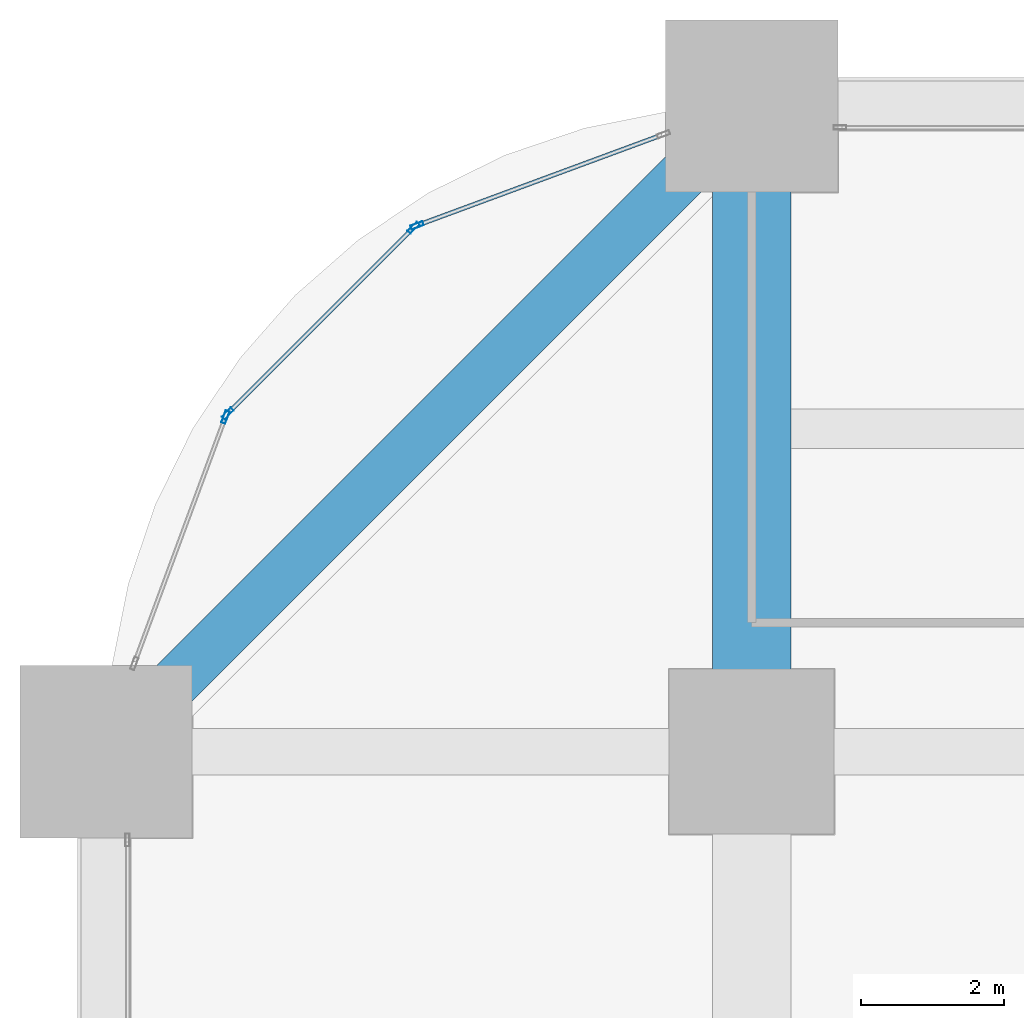
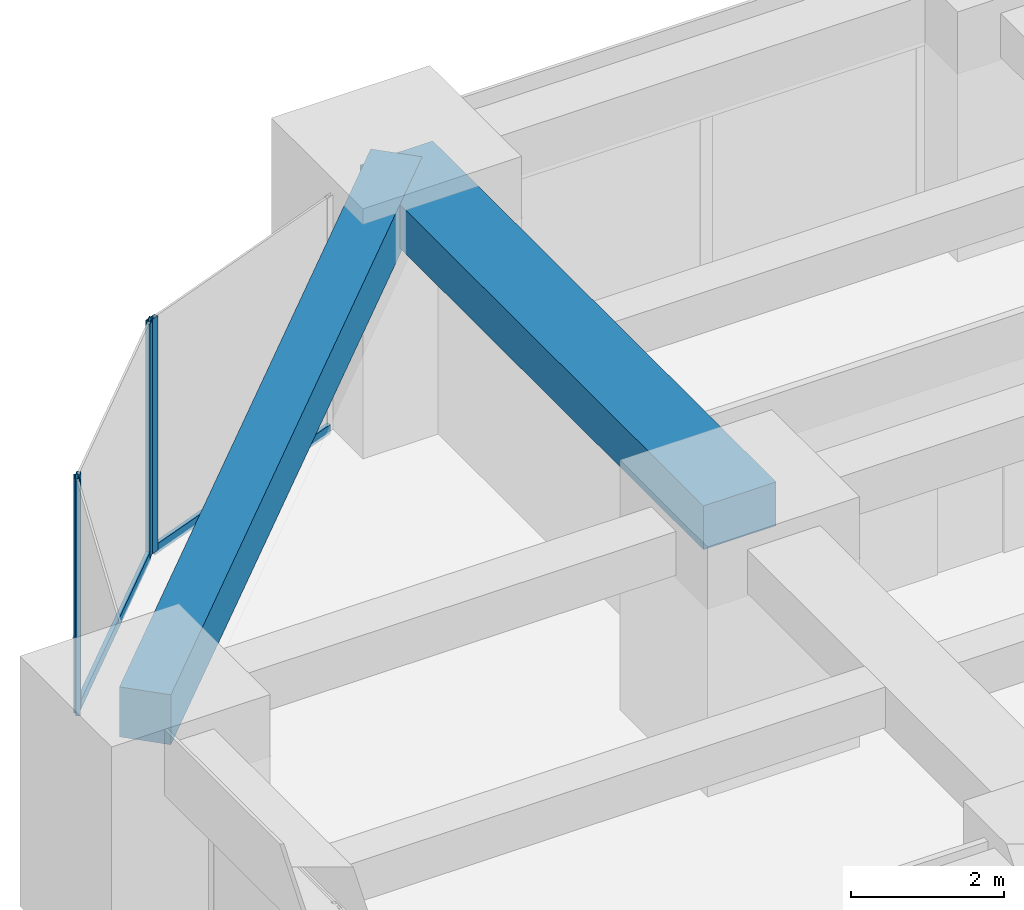
# One storey, part 27 of 45: 6 members, 2 beams, 3 elements without a shape of their own.
"""IFC4 building model written with IfcOpenShell, lengths in metres."""

import ifcopenshell
import ifcopenshell.guid

model = None  # the IFC model being written
_history = None  # IfcOwnerHistory: only IFC2X3 demands one
_inside = {}  # id of a spatial element -> (the spatial element, [elements in it])
_under = {}  # id of a project, library or spatial element -> (it, [spatial elements below it])
_declared = {}  # id of a project -> (the project, [libraries it declares])
_typed = {}  # id of a type object -> (the type object, [elements of that type])
_made_of = {}  # id of a material, layer set ... -> (it, [elements and type objects made of it])


def new_model(schema):
    """Start an empty IFC model of exactly this schema.

    Asked for "IFC4X3", IfcOpenShell would pick the latest addendum, in which some entities
    have other attributes; the version numbers below select the first issue.
    IFC2X3 requires an IfcOwnerHistory on every rooted entity: one is made here for all.
    """
    global model, _history
    if schema == "IFC4X3":
        model = ifcopenshell.file(schema_version=(4, 3, 0, 0))
    else:
        model = ifcopenshell.file(schema=schema)
    _inside.clear()
    _under.clear()
    _declared.clear()
    _typed.clear()
    _made_of.clear()
    _history = None
    if model.schema == "IFC2X3":
        org = make("IfcOrganization", Name="unknown")
        user = make(
            "IfcPersonAndOrganization",
            ThePerson=make("IfcPerson", FamilyName="unknown"),
            TheOrganization=org,
        )
        app = make(
            "IfcApplication",
            ApplicationDeveloper=org,
            Version="unknown",
            ApplicationFullName="unknown",
            ApplicationIdentifier="unknown",
        )
        _history = make(
            "IfcOwnerHistory",
            OwningUser=user,
            OwningApplication=app,
            ChangeAction="ADDED",
            CreationDate=0,
        )
    return model


def make(cls, **values):
    """One entity of the class cls with the attributes given. An attribute that is None is left unset."""
    return model.create_entity(
        cls, **{name: value for name, value in values.items() if value is not None}
    )


def rooted(cls, **values):
    """An entity with a GlobalId (a new one), such as an element, a storey or a relation."""
    return make(cls, GlobalId=ifcopenshell.guid.new(), OwnerHistory=_history, **values)


def si_unit(unit_type, name, prefix=None):
    """IfcSIUnit, for example si_unit("LENGTHUNIT", "METRE", prefix="MILLI")."""
    return make("IfcSIUnit", UnitType=unit_type, Prefix=prefix, Name=name)


def assignment(units):
    """IfcUnitAssignment: the units of a project."""
    return None if units is None else make("IfcUnitAssignment", Units=units)


def point(xyz):
    """IfcCartesianPoint."""
    return None if xyz is None else make("IfcCartesianPoint", Coordinates=xyz)


def direction(xyz):
    """IfcDirection."""
    return None if xyz is None else make("IfcDirection", DirectionRatios=xyz)


def frame(location, z_axis=None, x_axis=None):
    """IfcAxis2Placement3D, a coordinate frame: its origin and axes. An axis left out is left unset."""
    return make(
        "IfcAxis2Placement3D",
        Location=point(location),
        Axis=direction(z_axis),
        RefDirection=direction(x_axis),
    )


def frame_2d(location, x_axis=None):
    """IfcAxis2Placement2D, a coordinate frame in the plane: its origin and x axis."""
    return make(
        "IfcAxis2Placement2D", Location=point(location), RefDirection=direction(x_axis)
    )


def origin():
    """The frame at (0, 0, 0) with its axes left unset."""
    return frame((0.0, 0.0, 0.0))


def origin_2d():
    """The frame at (0, 0) in the plane with its x axis left unset."""
    return frame_2d((0.0, 0.0))


def place(relative_to, where):
    """IfcLocalPlacement: puts the frame where relative to a parent placement (None: the world)."""
    return make(
        "IfcLocalPlacement", PlacementRelTo=relative_to, RelativePlacement=where
    )


def context(
    kind, dimensions, precision=None, world=None, true_north=None, identifier=None
):
    """IfcGeometricRepresentationContext, for example the 3D "Model" context."""
    return make(
        "IfcGeometricRepresentationContext",
        ContextIdentifier=identifier,
        ContextType=kind,
        CoordinateSpaceDimension=dimensions,
        Precision=precision,
        WorldCoordinateSystem=world,
        TrueNorth=true_north,
    )


def subcontext(parent, identifier, kind, view, scale=None):
    """IfcGeometricRepresentationSubContext, for example "Body" below "Model"."""
    return make(
        "IfcGeometricRepresentationSubContext",
        ContextIdentifier=identifier,
        ContextType=kind,
        ParentContext=parent,
        TargetScale=scale,
        TargetView=view,
    )


def project(units=None, contexts=None):
    """IfcProject with its units and contexts."""
    return rooted(
        "IfcProject",
        Name="project",
        RepresentationContexts=contexts,
        UnitsInContext=assignment(units),
    )


def spatial(cls, under=None, at=None, **own):
    """A site, building, storey or space (cls), placed at a placement, below another one or the project."""
    s = rooted(cls, ObjectPlacement=at, **own)
    if under is not None:
        _under.setdefault(under.id(), (under, []))[1].append(s)
    return s


def profile(cls, at=None, kind="AREA", **sizes):
    """A parametric profile (cls). Its sizes go by their IFC names, for example OverallWidth=200.0."""
    return make(cls, ProfileType=kind, Position=at, **sizes)


def rectangle(**sizes):
    """IfcRectangleProfileDef."""
    return profile("IfcRectangleProfileDef", **sizes)


def hollow_rectangle(**sizes):
    """IfcRectangleHollowProfileDef."""
    return profile("IfcRectangleHollowProfileDef", **sizes)


def extrude(swept, where, along, depth):
    """IfcExtrudedAreaSolid: the profile swept, set in the frame where, extruded along a direction by depth."""
    return make(
        "IfcExtrudedAreaSolid",
        SweptArea=swept,
        Position=where,
        ExtrudedDirection=direction(along),
        Depth=depth,
    )


def shape(context_of_items, identifier, shape_type, items):
    """IfcShapeRepresentation: the items that make up one representation, for example the "Body"."""
    return make(
        "IfcShapeRepresentation",
        ContextOfItems=context_of_items,
        RepresentationIdentifier=identifier,
        RepresentationType=shape_type,
        Items=items,
    )


def material(Name=None, Category=None):
    """IfcMaterial."""
    return make("IfcMaterial", Name=Name, Category=Category)


def material_profile(
    of_material, cross_section, Name=None, Category=None, Priority=None
):
    """IfcMaterialProfile: a cross section and its material."""
    return make(
        "IfcMaterialProfile",
        Name=Name,
        Material=of_material,
        Profile=cross_section,
        Priority=Priority,
        Category=Category,
    )


def profile_set(profiles, Name=None, composite=None):
    """IfcMaterialProfileSet."""
    return make(
        "IfcMaterialProfileSet",
        Name=Name,
        MaterialProfiles=profiles,
        CompositeProfile=composite,
    )


def made_of(thing, what):
    """Note that an element or type object is made of a material, layer set ...; save() writes the relation."""
    if what is not None:
        _made_of.setdefault(what.id(), (what, []))[1].append(thing)
    return thing


def type_object(cls, material=None, **own):
    """A type object (cls), such as IfcWallType, which elements share."""
    return made_of(rooted(cls, **own), material)


def element(
    cls,
    number,
    at=None,
    inside=None,
    cuts=None,
    type_object=None,
    material=None,
    context=None,
    identifier="Body",
    shape_type=None,
    held_by="IfcProductDefinitionShape",
    body=None,
    shapes=None,
    **own,
):
    """One element of the class cls, such as IfcWall. Its Tag is "e" and its number.

    at: its placement. inside: the storey or other place that contains it. cuts: it is an
    opening in that element (IfcRelVoidsElement). A single representation is given by context,
    identifier, shape_type and body (its items); several are given by shapes. held_by: the class
    of the entity that holds the representations. save() writes the other relations.
    """
    e = rooted(cls, Tag="e%d" % number, ObjectPlacement=at, **own)
    if body is not None:
        shapes = [shape(context, identifier, shape_type, body)]
    if shapes is not None:
        e.Representation = make(held_by, Representations=shapes)
    if inside is not None:
        _inside.setdefault(inside.id(), (inside, []))[1].append(e)
    if cuts is not None:
        rooted(
            "IfcRelVoidsElement", RelatingBuildingElement=cuts, RelatedOpeningElement=e
        )
    if type_object is not None:
        _typed.setdefault(type_object.id(), (type_object, []))[1].append(e)
    return made_of(e, material)


def aggregate(whole, parts):
    """IfcRelAggregates: a whole, such as a stair, and the parts it consists of."""
    return rooted("IfcRelAggregates", RelatingObject=whole, RelatedObjects=parts)


def save(model, path):
    """Write the relations noted so far, then the file.

    IfcRelAggregates (storeys below a building ...), IfcRelContainedInSpatialStructure (elements
    in a storey), IfcRelDefinesByType, IfcRelAssociatesMaterial and IfcRelDeclares: one each for
    every whole, place, type object, material and project.
    """
    for whole, parts in _under.values():
        aggregate(whole, parts)
    for where, things in _inside.values():
        rooted(
            "IfcRelContainedInSpatialStructure",
            RelatedElements=things,
            RelatingStructure=where,
        )
    for kind, things in _typed.values():
        rooted("IfcRelDefinesByType", RelatedObjects=things, RelatingType=kind)
    for what, things in _made_of.values():
        rooted("IfcRelAssociatesMaterial", RelatedObjects=things, RelatingMaterial=what)
    for by, libraries in _declared.values():
        rooted("IfcRelDeclares", RelatingContext=by, RelatedDefinitions=libraries)
    model.write(path)


model = new_model("IFC4")

# Units and contexts
model_context = context("Model", 3, precision=1e-05, world=origin(), true_north=direction((0.0, 1.0)))
body_context = subcontext(model_context, "Body", "Model", "MODEL_VIEW")
ifc_project = project(units=[si_unit("LENGTHUNIT", "METRE"), si_unit("AREAUNIT", "SQUARE_METRE"), si_unit("VOLUMEUNIT", "CUBIC_METRE"), si_unit("PLANEANGLEUNIT", "RADIAN"), si_unit("MASSUNIT", "GRAM", prefix="KILO")], contexts=[model_context])

# Site, building, storey
site_placement = place(None, origin())
site = spatial("IfcSite", under=ifc_project, at=site_placement, CompositionType="ELEMENT")
building_placement = place(site_placement, origin())
building = spatial("IfcBuilding", under=site, at=building_placement, Name="Zorevar Civic Tower", CompositionType="ELEMENT")
storey_placement = place(building_placement, frame((0.0, 0.0, 27.800048828125)))
storey = spatial("IfcBuildingStorey", under=building, at=storey_placement, Name="L06", CompositionType="ELEMENT", Elevation=27.800048828125)

# Beam
ifc_material_1 = material(Name="Concrete C50/60", Category="concrete")
ifc_material_profile_1 = material_profile(ifc_material_1, rectangle(XDim=1.10009765625, YDim=0.699951171875, at=origin_2d()), Name="RC 1100x700")
ifc_profile_set_1 = profile_set([ifc_material_profile_1], Name="Concrete C50/60")
beam_type_1 = type_object("IfcBeamType", Name="Beam RC 1100x700", PredefinedType="BEAM", material=ifc_profile_set_1)
beam_1_placement = place(storey_placement, frame((9.0, 45.0, 3.39990234375), z_axis=(0.0, 1.0, 0.0), x_axis=(-1.0, 0.0, 0.0)))
element("IfcBeam", 1, at=beam_1_placement, inside=storey, type_object=beam_type_1, Name="Girder L07", PredefinedType="BEAM", context=body_context, shape_type="SweptSolid", body=[
    extrude(rectangle(XDim=1.10009765625, YDim=0.699951171875, at=origin_2d()), origin(), (0.0, 0.0, 1.0), 9.0),
])

# Curtain wall, member
ifc_material_2 = material(Name="Dark grey solar-control glass in black aluminium frame", Category="aluminium")
curtain_wall_type = type_object("IfcCurtainWallType", Name="Curtain wall CW2 low zone", PredefinedType="NOTDEFINED", material=ifc_material_2)
curtain_wall_1_placement = place(storey_placement, origin())
curtain_wall_1 = element("IfcCurtainWall", 2, at=curtain_wall_1_placement, inside=storey, type_object=curtain_wall_type, Name="CW2 L06", PredefinedType="NOTDEFINED")
ifc_material_3 = material(Name="Aluminium, black anodised", Category="aluminium")
ifc_material_profile_2 = material_profile(ifc_material_3, hollow_rectangle(XDim=0.06005859375, YDim=0.179931640625, WallThickness=0.00390625, at=origin_2d()), Name="AL 180x60x4")
ifc_profile_set_2 = profile_set([ifc_material_profile_2], Name="Aluminium, black anodised")
member_type_1 = type_object("IfcMemberType", Name="CW2 mullion AL 180x60x4", PredefinedType="MULLION", material=ifc_profile_set_2)
member_1_placement = place(storey_placement, frame((4.33544921875, 52.336181640625, 0.0), z_axis=(0.0, 0.0, 1.0), x_axis=(0.346704012033, -0.937974588163, 0.0)))
member_1 = element("IfcMember", 3, at=member_1_placement, type_object=member_type_1, Name="CW2 mullion 2", PredefinedType="MULLION", context=body_context, shape_type="SweptSolid", body=[
    extrude(hollow_rectangle(XDim=0.06005859375, YDim=0.179931640625, WallThickness=0.00390625, at=origin_2d()), origin(), (0.0, 0.0, 1.0), 3.75),
])

# Curtain wall, members
curtain_wall_2_placement = place(storey_placement, origin())
curtain_wall_2 = element("IfcCurtainWall", 4, at=curtain_wall_2_placement, inside=storey, type_object=curtain_wall_type, Name="CW2 L06", PredefinedType="NOTDEFINED")
member_2_placement = place(storey_placement, frame((4.2861328125, 52.3046875, 0.0), z_axis=(0.0, 0.0, 1.0), x_axis=(0.707106781187, -0.707106781187, 0.0)))
member_2 = element("IfcMember", 5, at=member_2_placement, type_object=member_type_1, Name="CW2 mullion 1", PredefinedType="MULLION", context=body_context, shape_type="SweptSolid", body=[
    extrude(hollow_rectangle(XDim=0.06005859375, YDim=0.179931640625, WallThickness=0.00390625, at=origin_2d()), origin(), (0.0, 0.0, 1.0), 3.75),
])
member_3_placement = place(storey_placement, frame((1.6953125, 49.7138671875, 0.0), z_axis=(0.0, 0.0, 1.0), x_axis=(0.707106781187, -0.707106781187, 0.0)))
member_3 = element("IfcMember", 6, at=member_3_placement, type_object=member_type_1, Name="CW2 mullion 2", PredefinedType="MULLION", context=body_context, shape_type="SweptSolid", body=[
    extrude(hollow_rectangle(XDim=0.06005859375, YDim=0.179931640625, WallThickness=0.00390625, at=origin_2d()), origin(), (0.0, 0.0, 1.0), 3.75),
])

# Curtain wall, member
curtain_wall_3_placement = place(storey_placement, origin())
curtain_wall_3 = element("IfcCurtainWall", 7, at=curtain_wall_3_placement, inside=storey, type_object=curtain_wall_type, Name="CW2 L06", PredefinedType="NOTDEFINED")
member_4_placement = place(storey_placement, frame((1.663818359375, 49.66455078125, 0.0), z_axis=(0.0, 0.0, 1.0), x_axis=(0.937974588163, -0.346704012033, 0.0)))
member_4 = element("IfcMember", 8, at=member_4_placement, type_object=member_type_1, Name="CW2 mullion 1", PredefinedType="MULLION", context=body_context, shape_type="SweptSolid", body=[
    extrude(hollow_rectangle(XDim=0.06005859375, YDim=0.179931640625, WallThickness=0.00390625, at=origin_2d()), origin(), (0.0, 0.0, 1.0), 3.75),
])
aggregate(curtain_wall_3, [member_4])

# Member
ifc_material_4 = material(Name="Aluminium, black anodised", Category="aluminium")
ifc_material_profile_3 = material_profile(ifc_material_4, hollow_rectangle(XDim=0.06005859375, YDim=0.14990234375, WallThickness=0.00390625, at=origin_2d()), Name="AL 150x60x4")
ifc_profile_set_3 = profile_set([ifc_material_profile_3], Name="Aluminium, black anodised")
member_type_2 = type_object("IfcMemberType", Name="CW2 transom AL 150x60x4", PredefinedType="USERDEFINED", material=ifc_profile_set_3)
member_5_placement = place(storey_placement, frame((7.74365234375, 53.595947265625, 0.030029296875), z_axis=(-0.93798635741, -0.346672169799, 0.0), x_axis=(0.346672169799, -0.93798635741, 0.0)))
member_5 = element("IfcMember", 9, at=member_5_placement, type_object=member_type_2, Name="CW2 sill transom", ObjectType="TRANSOM", PredefinedType="USERDEFINED", context=body_context, shape_type="SweptSolid", body=[
    extrude(hollow_rectangle(XDim=0.06005859375, YDim=0.14990234375, WallThickness=0.00390625, at=origin_2d()), origin(), (0.0, 0.0, 1.0), 3.603515625),
])

aggregate(curtain_wall_1, [member_1, member_5])

member_6_placement = place(storey_placement, frame((4.264892578125, 52.283447265625, 0.030029296875), z_axis=(-0.707106781187, -0.707106781187, 0.0), x_axis=(0.707106781187, -0.707106781187, 0.0)))
member_6 = element("IfcMember", 10, at=member_6_placement, type_object=member_type_2, Name="CW2 sill transom", ObjectType="TRANSOM", PredefinedType="USERDEFINED", context=body_context, shape_type="SweptSolid", body=[
    extrude(hollow_rectangle(XDim=0.06005859375, YDim=0.14990234375, WallThickness=0.00390625, at=origin_2d()), origin(), (0.0, 0.0, 1.0), 3.60400390625),
])

aggregate(curtain_wall_2, [member_2, member_3, member_6])

# Beam
ifc_material_5 = material(Name="Concrete C50/60", Category="concrete")
ifc_material_profile_4 = material_profile(ifc_material_5, rectangle(XDim=0.699951171875, YDim=0.800048828125, at=origin_2d()), Name="RC 700x800")
ifc_profile_set_4 = profile_set([ifc_material_profile_4], Name="Concrete C50/60")
beam_type_2 = type_object("IfcBeamType", Name="Edge beam RC 700x800", PredefinedType="SPANDREL", material=ifc_profile_set_4)
beam_2_placement = place(storey_placement, frame((9.0, 54.0, 3.349853515625), z_axis=(-0.707106781187, -0.707106781187, 0.0), x_axis=(0.707106781187, -0.707106781187, 0.0)))
element("IfcBeam", 11, at=beam_2_placement, inside=storey, type_object=beam_type_2, Name="Corner edge beam L07", PredefinedType="SPANDREL", context=body_context, shape_type="SweptSolid", body=[
    extrude(rectangle(XDim=0.699951171875, YDim=0.800048828125, at=origin_2d()), origin(), (0.0, 0.0, 1.0), 12.72802734375),
])

save(model, "model.ifc")
